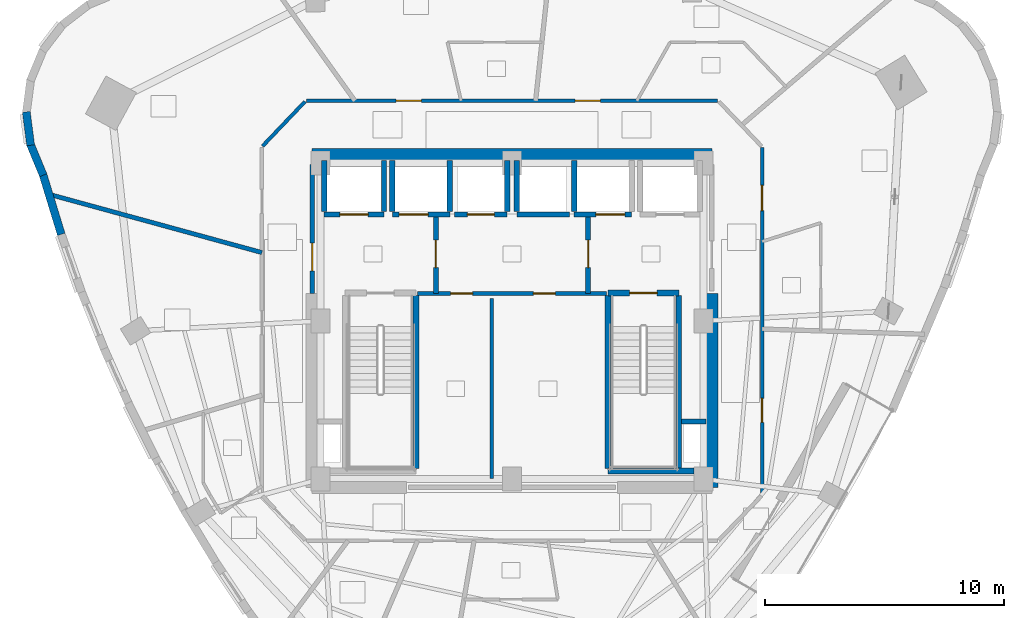
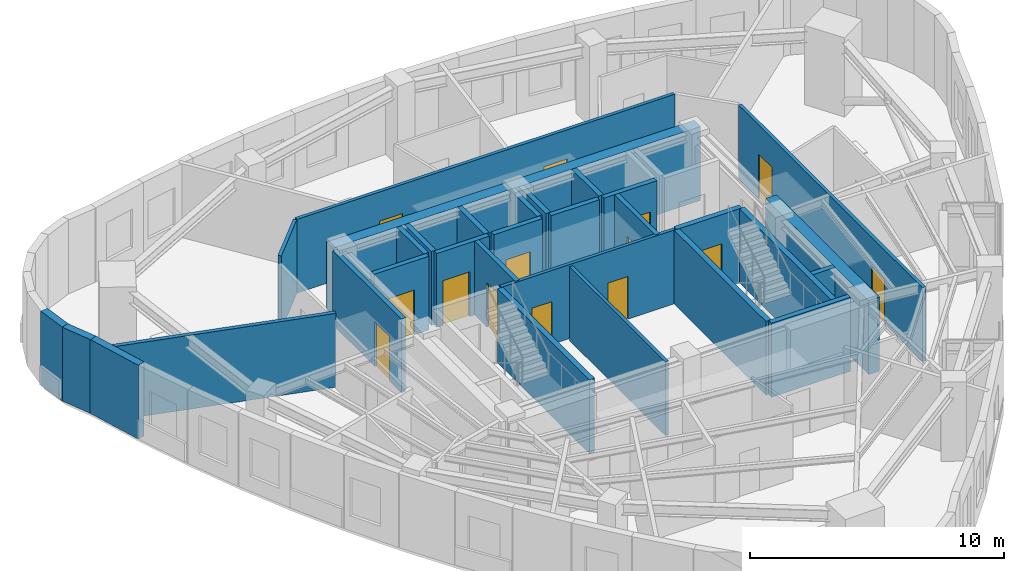
# One storey, part 7 of 12: 32 walls, 14 doors, 14 openings.
"""IFC4 building model written with IfcOpenShell, lengths in metres."""

from ifc_helpers import new_model, si_unit, direction, frame, frame_2d, origin, place, context, subcontext, project, spatial, rectangle, extrude, material, layer, layer_set, type_object, element, fill, save


model = new_model("IFC4")

# Units and contexts
model_context = context("Model", 3, precision=1e-05, world=origin(), true_north=direction((0.0, 1.0)))
body_context = subcontext(model_context, "Body", "Model", "MODEL_VIEW")
ifc_project = project(units=[si_unit("LENGTHUNIT", "METRE"), si_unit("AREAUNIT", "SQUARE_METRE"), si_unit("VOLUMEUNIT", "CUBIC_METRE"), si_unit("PLANEANGLEUNIT", "RADIAN"), si_unit("MASSUNIT", "GRAM", prefix="KILO")], contexts=[model_context])

# Site, building, storey
site_placement = place(None, origin())
site = spatial("IfcSite", under=ifc_project, at=site_placement, CompositionType="ELEMENT")
building_placement = place(site_placement, origin())
building = spatial("IfcBuilding", under=site, at=building_placement, Name="Ndelora Gate Hotel", CompositionType="ELEMENT")
storey_placement = place(building_placement, frame((0.0, 0.0, 205.550048828125)))
storey = spatial("IfcBuildingStorey", under=building, at=storey_placement, Name="L51", CompositionType="ELEMENT", Elevation=205.550048828125)

# Walls
ifc_material_1 = material(Name="Acoustic Double-Stud Gypsum Assembly", Category="gypsum")
ifc_layer_1 = layer(ifc_material_1, 0.179931640625)
ifc_layer_set_1 = layer_set([ifc_layer_1], Name="Acoustic Double-Stud Gypsum Assembly")
wall_type_1 = type_object("IfcWallType", Name="WL-ACOUST-180", PredefinedType="PARTITIONING", material=ifc_layer_set_1)
wall_1_placement = place(storey_placement, frame((-10.449951171875, 2.860107421875, 0.0), z_axis=(0.0, 0.0, 1.0), x_axis=(-0.964534389735, 0.26395721437, 0.0)))
element("IfcWall", 1, at=wall_1_placement, inside=storey, type_object=wall_type_1, Name="L51 Interior Wall IW-3", PredefinedType="PARTITIONING", context=body_context, shape_type="SweptSolid", body=[
    extrude(rectangle(XDim=9.223388671875, YDim=0.179931640625, at=frame_2d((4.61181640625, 0.0))), origin(), (0.0, 0.0, 1.0), 3.550048828125),
])
ifc_material_2 = material(Name="Clay Brick Masonry", Category="masonry")
ifc_layer_2 = layer(ifc_material_2, 0.330078125)
ifc_layer_set_2 = layer_set([ifc_layer_2], Name="Clay Brick Masonry")
wall_type_2 = type_object("IfcWallType", Name="WL-BRICK-330", PredefinedType="SOLIDWALL", material=ifc_layer_set_2)
for number, where, z_axis, x_axis, name in (
    (2, (-20.11279296875, 7.343505859375, 0.0), (0.0, 0.0, 1.0), (-0.130607061093, 0.991434211429, 0.0), "L51 Tower Brick Pier-and-Spandrel Wall TWR-7"),
    (3, (-19.587158203125, 6.091064453125, 0.0), (0.0, 0.0, 1.0), (-0.382668413767, 0.923885753275, 0.0), "L51 Tower Brick Pier-and-Spandrel Wall TWR-8"),
):
    element("IfcWall", number, at=place(storey_placement, frame(where, z_axis=z_axis, x_axis=x_axis)), inside=storey, type_object=wall_type_2, Name=name, PredefinedType="SOLIDWALL", context=body_context, shape_type="SweptSolid", body=[
        extrude(rectangle(XDim=1.407470703125, YDim=0.330078125, at=frame_2d((0.70361328125, 0.0))), origin(), (0.0, 0.0, 1.0), 3.550048828125),
    ])
wall_2_placement = place(storey_placement, frame((-18.83447265625, 3.621337890625, 0.0), z_axis=(0.0, 0.0, 1.0), x_axis=(-0.292416512209, 0.956291055792, 0.0)))
element("IfcWall", 4, at=wall_2_placement, inside=storey, type_object=wall_type_2, Name="L51 Tower Brick Pier-and-Spandrel Wall TWR-9", PredefinedType="SOLIDWALL", context=body_context, shape_type="SweptSolid", body=[
    extrude(rectangle(XDim=2.631591796875, YDim=0.330078125, at=frame_2d((1.31591796875, 0.0))), origin(), (0.0, 0.0, 1.0), 3.550048828125),
])
ifc_material_3 = material(Name="Concrete C50/60", Category="concrete")
ifc_layer_3 = layer(ifc_material_3, 0.5)
ifc_layer_set_3 = layer_set([ifc_layer_3], Name="Concrete C50/60")
wall_type_3 = type_object("IfcWallType", Name="WL-CORE-500", PredefinedType="SHEAR", material=ifc_layer_set_3)
wall_3_placement = place(storey_placement, frame((-8.35009765625, 6.949951171875, 0.0), z_axis=(0.0, 0.0, 1.0), x_axis=(1.0, 0.0, 0.0)))
element("IfcWall", 5, at=wall_3_placement, inside=storey, type_object=wall_type_3, Name="L51 Core Shear Wall N", PredefinedType="SHEAR", context=body_context, shape_type="SweptSolid", body=[
    extrude(rectangle(XDim=16.7001953125, YDim=0.5, at=frame_2d((8.35009765625, 0.0))), origin(), (0.0, 0.0, 1.0), 3.550048828125),
])
wall_4_placement = place(storey_placement, frame((8.35009765625, -6.949951171875, 0.0), z_axis=(0.0, 0.0, 1.0), x_axis=(0.0, 1.0, 0.0)))
element("IfcWall", 6, at=wall_4_placement, inside=storey, type_object=wall_type_3, Name="L51 Core Shear Wall E", PredefinedType="SHEAR", context=body_context, shape_type="SweptSolid", body=[
    extrude(rectangle(XDim=8.099853515625, YDim=0.5, at=frame_2d((4.0498046875, 0.0))), origin(), (0.0, 0.0, 1.0), 3.550048828125),
])

# Wall, opening, door
ifc_material_4 = material(Name="Concrete C40/50", Category="concrete")
ifc_layer_4 = layer(ifc_material_4, 0.199951171875)
ifc_layer_set_4 = layer_set([ifc_layer_4], Name="Concrete C40/50")
wall_type_4 = type_object("IfcWallType", Name="WL-FIRE-200", PredefinedType="PARTITIONING", material=ifc_layer_set_4)
wall_5_placement = place(storey_placement, frame((-3.179931640625, 1.14990234375, 0.0), z_axis=(0.0, 0.0, 1.0), x_axis=(0.0, 1.0, 0.0)))
wall_5 = element("IfcWall", 7, at=wall_5_placement, inside=storey, type_object=wall_type_4, Name="L51 Interior Wall IW-2", PredefinedType="PARTITIONING", context=body_context, shape_type="SweptSolid", body=[
    extrude(rectangle(XDim=3.300048828125, YDim=0.199951171875, at=frame_2d((1.64990234375, 0.0))), origin(), (0.0, 0.0, 1.0), 3.550048828125),
])
opening_1_placement = place(wall_5_placement, frame((1.080078125, 0.0, 0.0)))
opening_1 = element("IfcOpeningElement", 8, at=opening_1_placement, cuts=wall_5, Name="Opening FD1", PredefinedType="OPENING", context=body_context, shape_type="SweptSolid", body=[
    extrude(rectangle(XDim=1.14990234375, YDim=2.14990234375, at=frame_2d((0.574951171875, 1.074951171875))), frame((0.0, 0.10986328125, 0.0), z_axis=(0.0, -1.0, 0.0), x_axis=(1.0, 0.0, 0.0)), (0.0, 0.0, 1.0), 0.219970703125),
])
ifc_material_5 = material(Name="Fire-Rated Timber-Veneer Steel Core", Category="steel")
door_type_1 = type_object("IfcDoorType", Name="DR-FD60", OperationType="SINGLE_SWING_LEFT", PredefinedType="DOOR", material=ifc_material_5)
door_1_placement = place(opening_1_placement, origin())
door_1 = element("IfcDoor", 9, at=door_1_placement, inside=storey, type_object=door_type_1, Name="L51 Firefighting Lobby West Door", OperationType="SINGLE_SWING_RIGHT", OverallHeight=2.14990234375, OverallWidth=1.14990234375, PredefinedType="DOOR", context=body_context, shape_type="SweptSolid", body=[
    extrude(rectangle(XDim=1.14990234375, YDim=2.14990234375, at=frame_2d((0.574951171875, 1.074951171875))), frame((0.0, 0.02490234375, 0.0), z_axis=(0.0, -1.0, 0.0), x_axis=(1.0, 0.0, 0.0)), (0.0, 0.0, 1.0), 0.050048828125),
])
fill(opening_1, door_1)

wall_6_placement = place(storey_placement, frame((3.179931640625, 1.14990234375, 0.0), z_axis=(0.0, 0.0, 1.0), x_axis=(0.0, 1.0, 0.0)))
wall_6 = element("IfcWall", 10, at=wall_6_placement, inside=storey, type_object=wall_type_4, Name="L51 Interior Wall IW-2", PredefinedType="PARTITIONING", context=body_context, shape_type="SweptSolid", body=[
    extrude(rectangle(XDim=3.300048828125, YDim=0.199951171875, at=frame_2d((1.64990234375, 0.0))), origin(), (0.0, 0.0, 1.0), 3.550048828125),
])
opening_2_placement = place(wall_6_placement, frame((1.080078125, 0.0, 0.0)))
opening_2 = element("IfcOpeningElement", 11, at=opening_2_placement, cuts=wall_6, Name="Opening FD1", PredefinedType="OPENING", context=body_context, shape_type="SweptSolid", body=[
    extrude(rectangle(XDim=1.14990234375, YDim=2.14990234375, at=frame_2d((0.574951171875, 1.074951171875))), frame((0.0, 0.10986328125, 0.0), z_axis=(0.0, -1.0, 0.0), x_axis=(1.0, 0.0, 0.0)), (0.0, 0.0, 1.0), 0.219970703125),
])
door_2_placement = place(opening_2_placement, origin())
door_2 = element("IfcDoor", 12, at=door_2_placement, inside=storey, type_object=door_type_1, Name="L51 Firefighting Lobby East Door", OperationType="SINGLE_SWING_LEFT", OverallHeight=2.14990234375, OverallWidth=1.14990234375, PredefinedType="DOOR", context=body_context, shape_type="SweptSolid", body=[
    extrude(rectangle(XDim=1.14990234375, YDim=2.14990234375, at=frame_2d((0.574951171875, 1.074951171875))), frame((0.0, 0.02490234375, 0.0), z_axis=(0.0, -1.0, 0.0), x_axis=(1.0, 0.0, 0.0)), (0.0, 0.0, 1.0), 0.050048828125),
])
fill(opening_2, door_2)

wall_7_placement = place(storey_placement, frame((-8.35009765625, 1.14990234375, 0.0), z_axis=(0.0, 0.0, 1.0), x_axis=(0.0, 1.0, 0.0)))
wall_7 = element("IfcWall", 13, at=wall_7_placement, inside=storey, type_object=wall_type_4, Name="L51 Interior Wall IW-2", PredefinedType="PARTITIONING", context=body_context, shape_type="SweptSolid", body=[
    extrude(rectangle(XDim=5.400146484375, YDim=0.199951171875, at=frame_2d((2.7001953125, 0.0))), origin(), (0.0, 0.0, 1.0), 3.550048828125),
])
opening_3_placement = place(wall_7_placement, frame((0.949951171875, 0.0, 0.0)))
opening_3 = element("IfcOpeningElement", 14, at=opening_3_placement, cuts=wall_7, Name="Opening FD1", PredefinedType="OPENING", context=body_context, shape_type="SweptSolid", body=[
    extrude(rectangle(XDim=1.14990234375, YDim=2.14990234375, at=frame_2d((0.574951171875, 1.074951171875))), frame((0.0, 0.10986328125, 0.0), z_axis=(0.0, -1.0, 0.0), x_axis=(1.0, 0.0, 0.0)), (0.0, 0.0, 1.0), 0.219970703125),
])
door_3_placement = place(opening_3_placement, origin())
door_3 = element("IfcDoor", 15, at=door_3_placement, inside=storey, type_object=door_type_1, Name="L51 Firefighting Lobby West Corridor Door", OperationType="SINGLE_SWING_LEFT", OverallHeight=2.14990234375, OverallWidth=1.14990234375, PredefinedType="DOOR", context=body_context, shape_type="SweptSolid", body=[
    extrude(rectangle(XDim=1.14990234375, YDim=2.14990234375, at=frame_2d((0.574951171875, 1.074951171875))), frame((0.0, 0.02490234375, 0.0), z_axis=(0.0, -1.0, 0.0), x_axis=(1.0, 0.0, 0.0)), (0.0, 0.0, 1.0), 0.050048828125),
])
fill(opening_3, door_3)

# Wall, openings, doors
ifc_material_6 = material(Name="Fire-Rated Gypsum Stud Partition", Category="gypsum")
ifc_layer_5 = layer(ifc_material_6, 0.14990234375)
ifc_layer_set_5 = layer_set([ifc_layer_5], Name="Fire-Rated Gypsum Stud Partition")
wall_type_5 = type_object("IfcWallType", Name="WL-PART-150", PredefinedType="PARTITIONING", material=ifc_layer_set_5)
wall_8_placement = place(storey_placement, frame((3.949951171875, 1.14990234375, 0.0), z_axis=(0.0, 0.0, 1.0), x_axis=(-1.0, 0.0, 0.0)))
wall_8 = element("IfcWall", 16, at=wall_8_placement, inside=storey, type_object=wall_type_5, Name="L51 Interior Wall IW-5", PredefinedType="PARTITIONING", context=body_context, shape_type="SweptSolid", body=[
    extrude(rectangle(XDim=7.89990234375, YDim=0.14990234375, at=frame_2d((3.949951171875, 0.0))), origin(), (0.0, 0.0, 1.0), 3.550048828125),
])
opening_4_placement = place(wall_8_placement, frame((5.590087890625, 0.0, 0.0)))
opening_4 = element("IfcOpeningElement", 17, at=opening_4_placement, cuts=wall_8, Name="Opening D04", PredefinedType="OPENING", context=body_context, shape_type="SweptSolid", body=[
    extrude(rectangle(XDim=0.919921875, YDim=2.050048828125, at=frame_2d((0.4599609375, 1.02490234375))), frame((0.0, 0.0849609375, 0.0), z_axis=(0.0, -1.0, 0.0), x_axis=(1.0, 0.0, 0.0)), (0.0, 0.0, 1.0), 0.169921875),
])
opening_5_placement = place(wall_8_placement, frame((2.139892578125, 0.0, 0.0)))
opening_5 = element("IfcOpeningElement", 18, at=opening_5_placement, cuts=wall_8, Name="Opening D04", PredefinedType="OPENING", context=body_context, shape_type="SweptSolid", body=[
    extrude(rectangle(XDim=0.919921875, YDim=2.050048828125, at=frame_2d((0.4599609375, 1.02490234375))), frame((0.0, 0.0849609375, 0.0), z_axis=(0.0, -1.0, 0.0), x_axis=(1.0, 0.0, 0.0)), (0.0, 0.0, 1.0), 0.169921875),
])
ifc_material_7 = material(Name="Painted Steel Core Service Door", Category="steel")
door_type_2 = type_object("IfcDoorType", Name="DR-SER-920", OperationType="SINGLE_SWING_LEFT", PredefinedType="DOOR", material=ifc_material_7)
door_4_placement = place(opening_4_placement, origin())
door_4 = element("IfcDoor", 19, at=door_4_placement, inside=storey, type_object=door_type_2, Name="L51 Core Electrical Switchroom Door", OperationType="SINGLE_SWING_LEFT", OverallHeight=2.050048828125, OverallWidth=0.919921875, PredefinedType="DOOR", context=body_context, shape_type="SweptSolid", body=[
    extrude(rectangle(XDim=0.919921875, YDim=2.050048828125, at=frame_2d((0.4599609375, 1.02490234375))), frame((0.0, 0.02490234375, 0.0), z_axis=(0.0, -1.0, 0.0), x_axis=(1.0, 0.0, 0.0)), (0.0, 0.0, 1.0), 0.050048828125),
])
fill(opening_4, door_4)
door_5_placement = place(opening_5_placement, origin())
door_5 = element("IfcDoor", 20, at=door_5_placement, inside=storey, type_object=door_type_2, Name="L51 Central Linen Equipment Store Door", OperationType="SINGLE_SWING_RIGHT", OverallHeight=2.050048828125, OverallWidth=0.919921875, PredefinedType="DOOR", context=body_context, shape_type="SweptSolid", body=[
    extrude(rectangle(XDim=0.919921875, YDim=2.050048828125, at=frame_2d((0.4599609375, 1.02490234375))), frame((0.0, 0.02490234375, 0.0), z_axis=(0.0, -1.0, 0.0), x_axis=(1.0, 0.0, 0.0)), (0.0, 0.0, 1.0), 0.050048828125),
])
fill(opening_5, door_5)

# Wall
wall_9_placement = place(storey_placement, frame((-0.85009765625, -6.580078125, 0.0), z_axis=(0.0, 0.0, 1.0), x_axis=(0.0, 1.0, 0.0)))
element("IfcWall", 21, at=wall_9_placement, inside=storey, type_object=wall_type_5, Name="L51 Interior Wall IW-5", PredefinedType="PARTITIONING", context=body_context, shape_type="SweptSolid", body=[
    extrude(rectangle(XDim=7.530029296875, YDim=0.14990234375, at=frame_2d((3.76513671875, 0.0))), origin(), (0.0, 0.0, 1.0), 3.550048828125),
])

# Wall, openings, doors
wall_10_placement = place(storey_placement, frame((10.449951171875, 7.239990234375, 0.0), z_axis=(0.0, 0.0, 1.0), x_axis=(0.0, -1.0, 0.0)))
wall_10 = element("IfcWall", 22, at=wall_10_placement, inside=storey, type_object=wall_type_5, Name="L51 Interior Wall IW-5", PredefinedType="PARTITIONING", context=body_context, shape_type="SweptSolid", body=[
    extrude(rectangle(XDim=14.47998046875, YDim=0.14990234375, at=frame_2d((7.239990234375, 0.0))), origin(), (0.0, 0.0, 1.0), 3.550048828125),
])
opening_6_placement = place(wall_10_placement, frame((10.4775390625, 0.0, 0.0)))
opening_6 = element("IfcOpeningElement", 23, at=opening_6_placement, cuts=wall_10, Name="Opening D01", PredefinedType="OPENING", context=body_context, shape_type="SweptSolid", body=[
    extrude(rectangle(XDim=1.0, YDim=2.14990234375, at=frame_2d((0.5, 1.074951171875))), frame((0.0, 0.0849609375, 0.0), z_axis=(0.0, -1.0, 0.0), x_axis=(1.0, 0.0, 0.0)), (0.0, 0.0, 1.0), 0.169921875),
])
opening_7_placement = place(wall_10_placement, frame((1.56982421875, 0.0, 0.0)))
opening_7 = element("IfcOpeningElement", 24, at=opening_7_placement, cuts=wall_10, Name="Opening D07", PredefinedType="OPENING", context=body_context, shape_type="SweptSolid", body=[
    extrude(rectangle(XDim=1.06005859375, YDim=2.14990234375, at=frame_2d((0.530029296875, 1.074951171875))), frame((0.0, 0.0849609375, 0.0), z_axis=(0.0, -1.0, 0.0), x_axis=(1.0, 0.0, 0.0)), (0.0, 0.0, 1.0), 0.169921875),
])
ifc_material_8 = material(Name="Acoustic Hardwood Guest Entrance Door", Category="wood")
door_type_3 = type_object("IfcDoorType", Name="DR-COR-1000", OperationType="SINGLE_SWING_LEFT", PredefinedType="DOOR", material=ifc_material_8)
door_6_placement = place(opening_6_placement, origin())
door_6 = element("IfcDoor", 25, at=door_6_placement, inside=storey, type_object=door_type_3, Name="L51 Sky Garden Tea Dining Room Entrance Door", OperationType="SINGLE_SWING_LEFT", OverallHeight=2.14990234375, OverallWidth=1.0, PredefinedType="DOOR", context=body_context, shape_type="SweptSolid", body=[
    extrude(rectangle(XDim=1.0, YDim=2.14990234375, at=frame_2d((0.5, 1.074951171875))), frame((0.0, 0.02490234375, 0.0), z_axis=(0.0, -1.0, 0.0), x_axis=(1.0, 0.0, 0.0)), (0.0, 0.0, 1.0), 0.050048828125),
])
fill(opening_6, door_6)
ifc_material_9 = material(Name="Diplomatic Suite Acoustic Entrance Door", Category="wood")
door_type_4 = type_object("IfcDoorType", Name="DR-SUITE-1060", OperationType="SINGLE_SWING_LEFT", PredefinedType="DOOR", material=ifc_material_9)
door_7_placement = place(opening_7_placement, origin())
door_7 = element("IfcDoor", 26, at=door_7_placement, inside=storey, type_object=door_type_4, Name="L51 Panoramic King Suite 5402 Entrance Door", OperationType="SINGLE_SWING_LEFT", OverallHeight=2.14990234375, OverallWidth=1.06005859375, PredefinedType="DOOR", context=body_context, shape_type="SweptSolid", body=[
    extrude(rectangle(XDim=1.06005859375, YDim=2.14990234375, at=frame_2d((0.530029296875, 1.074951171875))), frame((0.0, 0.02490234375, 0.0), z_axis=(0.0, -1.0, 0.0), x_axis=(1.0, 0.0, 0.0)), (0.0, 0.0, 1.0), 0.050048828125),
])
fill(opening_7, door_7)

wall_11_placement = place(storey_placement, frame((-8.580078125, 9.199951171875, 0.0), z_axis=(0.0, 0.0, 1.0), x_axis=(1.0, 0.0, 0.0)))
wall_11 = element("IfcWall", 27, at=wall_11_placement, inside=storey, type_object=wall_type_5, Name="L51 Interior Wall IW-5", PredefinedType="PARTITIONING", context=body_context, shape_type="SweptSolid", body=[
    extrude(rectangle(XDim=17.16015625, YDim=0.14990234375, at=frame_2d((8.580078125, 0.0))), origin(), (0.0, 0.0, 1.0), 3.550048828125),
])
opening_8_placement = place(wall_11_placement, frame((3.734375, 0.0, 0.0)))
opening_8 = element("IfcOpeningElement", 28, at=opening_8_placement, cuts=wall_11, Name="Opening D07", PredefinedType="OPENING", context=body_context, shape_type="SweptSolid", body=[
    extrude(rectangle(XDim=1.06005859375, YDim=2.14990234375, at=frame_2d((0.530029296875, 1.074951171875))), frame((0.0, 0.0849609375, 0.0), z_axis=(0.0, -1.0, 0.0), x_axis=(1.0, 0.0, 0.0)), (0.0, 0.0, 1.0), 0.169921875),
])
opening_9_placement = place(wall_11_placement, frame((11.21435546875, 0.0, 0.0)))
opening_9 = element("IfcOpeningElement", 29, at=opening_9_placement, cuts=wall_11, Name="Opening D07", PredefinedType="OPENING", context=body_context, shape_type="SweptSolid", body=[
    extrude(rectangle(XDim=1.06005859375, YDim=2.14990234375, at=frame_2d((0.530029296875, 1.074951171875))), frame((0.0, 0.0849609375, 0.0), z_axis=(0.0, -1.0, 0.0), x_axis=(1.0, 0.0, 0.0)), (0.0, 0.0, 1.0), 0.169921875),
])
door_8_placement = place(opening_8_placement, origin())
door_8 = element("IfcDoor", 30, at=door_8_placement, inside=storey, type_object=door_type_4, Name="L51 Panoramic Twin Suite 5404 Entrance Door", OperationType="SINGLE_SWING_RIGHT", OverallHeight=2.14990234375, OverallWidth=1.06005859375, PredefinedType="DOOR", context=body_context, shape_type="SweptSolid", body=[
    extrude(rectangle(XDim=1.06005859375, YDim=2.14990234375, at=frame_2d((0.530029296875, 1.074951171875))), frame((0.0, 0.02490234375, 0.0), z_axis=(0.0, -1.0, 0.0), x_axis=(1.0, 0.0, 0.0)), (0.0, 0.0, 1.0), 0.050048828125),
])
fill(opening_8, door_8)
door_9_placement = place(opening_9_placement, origin())
door_9 = element("IfcDoor", 31, at=door_9_placement, inside=storey, type_object=door_type_4, Name="L51 Royal Ambassador Suite 5403 Entrance Door", OperationType="SINGLE_SWING_RIGHT", OverallHeight=2.14990234375, OverallWidth=1.06005859375, PredefinedType="DOOR", context=body_context, shape_type="SweptSolid", body=[
    extrude(rectangle(XDim=1.06005859375, YDim=2.14990234375, at=frame_2d((0.530029296875, 1.074951171875))), frame((0.0, 0.02490234375, 0.0), z_axis=(0.0, -1.0, 0.0), x_axis=(1.0, 0.0, 0.0)), (0.0, 0.0, 1.0), 0.050048828125),
])
fill(opening_9, door_9)

# Walls
wall_12_placement = place(storey_placement, frame((-10.42236328125, 7.30908203125, 0.0), z_axis=(0.0, 0.0, 1.0), x_axis=(0.689960858356, 0.723846678473, 0.0)))
element("IfcWall", 32, at=wall_12_placement, inside=storey, type_object=wall_type_5, Name="L51 Interior Wall IW-5", PredefinedType="PARTITIONING", context=body_context, shape_type="SweptSolid", body=[
    extrude(rectangle(XDim=2.572021484375, YDim=0.14990234375, at=frame_2d((1.2861328125, 0.0))), origin(), (0.0, 0.0, 1.0), 3.550048828125),
])
ifc_layer_6 = layer(ifc_material_4, 0.219970703125)
ifc_layer_set_6 = layer_set([ifc_layer_6], Name="Concrete C40/50")
wall_type_6 = type_object("IfcWallType", Name="WL-SHAFT-220", PredefinedType="PARTITIONING", material=ifc_layer_set_6)
wall_13_placement = place(storey_placement, frame((7.090087890625, -4.199951171875, 0.0), z_axis=(0.0, 0.0, 1.0), x_axis=(1.0, 0.0, 0.0)))
element("IfcWall", 33, at=wall_13_placement, inside=storey, type_object=wall_type_6, Name="L51 Interior Wall IW-1", PredefinedType="PARTITIONING", context=body_context, shape_type="SweptSolid", body=[
    extrude(rectangle(XDim=1.010009765625, YDim=0.219970703125, at=frame_2d((0.5048828125, 0.0))), origin(), (0.0, 0.0, 1.0), 3.550048828125),
])

# Wall, opening, door
wall_14_placement = place(storey_placement, frame((-7.85009765625, 4.449951171875, 0.0), z_axis=(0.0, 0.0, 1.0), x_axis=(1.0, 0.0, 0.0)))
wall_14 = element("IfcWall", 34, at=wall_14_placement, inside=storey, type_object=wall_type_6, Name="L51 Interior Wall IW-1", PredefinedType="PARTITIONING", context=body_context, shape_type="SweptSolid", body=[
    extrude(rectangle(XDim=2.5, YDim=0.219970703125, at=frame_2d((1.25, 0.0))), origin(), (0.0, 0.0, 1.0), 3.550048828125),
])
opening_10_placement = place(wall_14_placement, frame((0.659912109375, 0.0, 0.0)))
opening_10 = element("IfcOpeningElement", 35, at=opening_10_placement, cuts=wall_14, Name="Opening LD5", PredefinedType="OPENING", context=body_context, shape_type="SweptSolid", body=[
    extrude(rectangle(XDim=1.179931640625, YDim=2.14990234375, at=frame_2d((0.58984375, 1.074951171875))), frame((0.0, 0.1201171875, 0.0), z_axis=(0.0, -1.0, 0.0), x_axis=(1.0, 0.0, 0.0)), (0.0, 0.0, 1.0), 0.239990234375),
])
ifc_material_10 = material(Name="Firefighting Lift Stainless Sliding Landing Door", Category="metal")
door_type_5 = type_object("IfcDoorType", Name="DR-LD5", OperationType="DOUBLE_DOOR_SLIDING", PredefinedType="DOOR", material=ifc_material_10)
door_10_placement = place(opening_10_placement, origin())
door_10 = element("IfcDoor", 36, at=door_10_placement, inside=storey, type_object=door_type_5, Name="L51 Lift Landing Sliding Door FFL1", OperationType="DOUBLE_DOOR_SLIDING", OverallHeight=2.14990234375, OverallWidth=1.179931640625, PredefinedType="DOOR", context=body_context, shape_type="SweptSolid", body=[
    extrude(rectangle(XDim=1.179931640625, YDim=2.14990234375, at=frame_2d((0.58984375, 1.074951171875))), frame((0.0, 0.02490234375, 0.0), z_axis=(0.0, -1.0, 0.0), x_axis=(1.0, 0.0, 0.0)), (0.0, 0.0, 1.0), 0.050048828125),
])
fill(opening_10, door_10)

# Walls
wall_15_placement = place(storey_placement, frame((-7.85009765625, 4.570068359375, 0.0), z_axis=(0.0, 0.0, 1.0), x_axis=(0.0, 1.0, 0.0)))
element("IfcWall", 37, at=wall_15_placement, inside=storey, type_object=wall_type_6, Name="L51 Interior Wall IW-1", PredefinedType="PARTITIONING", context=body_context, shape_type="SweptSolid", body=[
    extrude(rectangle(XDim=2.1298828125, YDim=0.219970703125, at=frame_2d((1.06494140625, 0.0))), origin(), (0.0, 0.0, 1.0), 3.179931640625),
])
wall_16_placement = place(storey_placement, frame((-5.35009765625, 4.570068359375, 0.0), z_axis=(0.0, 0.0, 1.0), x_axis=(0.0, 1.0, 0.0)))
element("IfcWall", 38, at=wall_16_placement, inside=storey, type_object=wall_type_6, Name="L51 Interior Wall IW-1", PredefinedType="PARTITIONING", context=body_context, shape_type="SweptSolid", body=[
    extrude(rectangle(XDim=2.1298828125, YDim=0.219970703125, at=frame_2d((1.06494140625, 0.0))), origin(), (0.0, 0.0, 1.0), 3.550048828125),
])

# Wall, opening, door
wall_17_placement = place(storey_placement, frame((-5.0, 4.449951171875, 0.0), z_axis=(0.0, 0.0, 1.0), x_axis=(1.0, 0.0, 0.0)))
wall_17 = element("IfcWall", 39, at=wall_17_placement, inside=storey, type_object=wall_type_6, Name="L51 Interior Wall IW-1", PredefinedType="PARTITIONING", context=body_context, shape_type="SweptSolid", body=[
    extrude(rectangle(XDim=2.39990234375, YDim=0.219970703125, at=frame_2d((1.199951171875, 0.0))), origin(), (0.0, 0.0, 1.0), 3.550048828125),
])
opening_11_placement = place(wall_17_placement, frame((0.280029296875, 0.0, 0.0)))
opening_11 = element("IfcOpeningElement", 40, at=opening_11_placement, cuts=wall_17, Name="Opening LD6", PredefinedType="OPENING", context=body_context, shape_type="SweptSolid", body=[
    extrude(rectangle(XDim=1.219970703125, YDim=2.14990234375, at=frame_2d((0.60986328125, 1.074951171875))), frame((0.0, 0.1201171875, 0.0), z_axis=(0.0, -1.0, 0.0), x_axis=(1.0, 0.0, 0.0)), (0.0, 0.0, 1.0), 0.239990234375),
])
ifc_material_11 = material(Name="Heavy-Duty Service Lift Sliding Landing Door", Category="wood")
door_type_6 = type_object("IfcDoorType", Name="DR-LD6", OperationType="DOUBLE_DOOR_SLIDING", PredefinedType="DOOR", material=ifc_material_11)
door_11_placement = place(opening_11_placement, origin())
door_11 = element("IfcDoor", 41, at=door_11_placement, inside=storey, type_object=door_type_6, Name="L51 Lift Landing Sliding Door SVL1", OperationType="DOUBLE_DOOR_SLIDING", OverallHeight=2.14990234375, OverallWidth=1.219970703125, PredefinedType="DOOR", context=body_context, shape_type="SweptSolid", body=[
    extrude(rectangle(XDim=1.219970703125, YDim=2.14990234375, at=frame_2d((0.60986328125, 1.074951171875))), frame((0.0, 0.02490234375, 0.0), z_axis=(0.0, -1.0, 0.0), x_axis=(1.0, 0.0, 0.0)), (0.0, 0.0, 1.0), 0.050048828125),
])
fill(opening_11, door_11)

# Walls
for number, where, z_axis, x_axis, name in (
    (42, (-5.0, 4.570068359375, 0.0), (0.0, 0.0, 1.0), (0.0, 1.0, 0.0), "L51 Interior Wall IW-1"),
    (43, (-2.60009765625, 4.570068359375, 0.0), (0.0, 0.0, 1.0), (0.0, 1.0, 0.0), "L51 Interior Wall IW-1"),
):
    element("IfcWall", number, at=place(storey_placement, frame(where, z_axis=z_axis, x_axis=x_axis)), inside=storey, type_object=wall_type_6, Name=name, PredefinedType="PARTITIONING", context=body_context, shape_type="SweptSolid", body=[
        extrude(rectangle(XDim=2.1298828125, YDim=0.219970703125, at=frame_2d((1.06494140625, 0.0))), origin(), (0.0, 0.0, 1.0), 3.550048828125),
    ])

# Wall, opening, door
wall_18_placement = place(storey_placement, frame((2.60009765625, 4.449951171875, 0.0), z_axis=(0.0, 0.0, 1.0), x_axis=(1.0, 0.0, 0.0)))
wall_18 = element("IfcWall", 44, at=wall_18_placement, inside=storey, type_object=wall_type_6, Name="L51 Interior Wall IW-1", PredefinedType="PARTITIONING", context=body_context, shape_type="SweptSolid", body=[
    extrude(rectangle(XDim=2.39990234375, YDim=0.219970703125, at=frame_2d((1.199951171875, 0.0))), origin(), (0.0, 0.0, 1.0), 3.550048828125),
])
opening_12_placement = place(wall_18_placement, frame((0.89990234375, 0.0, 0.0)))
opening_12 = element("IfcOpeningElement", 45, at=opening_12_placement, cuts=wall_18, Name="Opening LD6", PredefinedType="OPENING", context=body_context, shape_type="SweptSolid", body=[
    extrude(rectangle(XDim=1.219970703125, YDim=2.14990234375, at=frame_2d((0.60986328125, 1.074951171875))), frame((0.0, 0.1201171875, 0.0), z_axis=(0.0, -1.0, 0.0), x_axis=(1.0, 0.0, 0.0)), (0.0, 0.0, 1.0), 0.239990234375),
])
door_12_placement = place(opening_12_placement, origin())
door_12 = element("IfcDoor", 46, at=door_12_placement, inside=storey, type_object=door_type_6, Name="L51 Lift Landing Sliding Door SVL2", OperationType="DOUBLE_DOOR_SLIDING", OverallHeight=2.14990234375, OverallWidth=1.219970703125, PredefinedType="DOOR", context=body_context, shape_type="SweptSolid", body=[
    extrude(rectangle(XDim=1.219970703125, YDim=2.14990234375, at=frame_2d((0.60986328125, 1.074951171875))), frame((0.0, 0.02490234375, 0.0), z_axis=(0.0, -1.0, 0.0), x_axis=(1.0, 0.0, 0.0)), (0.0, 0.0, 1.0), 0.050048828125),
])
fill(opening_12, door_12)

# Wall
wall_19_placement = place(storey_placement, frame((2.60009765625, 4.570068359375, 0.0), z_axis=(0.0, 0.0, 1.0), x_axis=(0.0, 1.0, 0.0)))
element("IfcWall", 47, at=wall_19_placement, inside=storey, type_object=wall_type_6, Name="L51 Interior Wall IW-1", PredefinedType="PARTITIONING", context=body_context, shape_type="SweptSolid", body=[
    extrude(rectangle(XDim=2.1298828125, YDim=0.219970703125, at=frame_2d((1.06494140625, 0.0))), origin(), (0.0, 0.0, 1.0), 3.550048828125),
])

# Wall, opening, door
wall_20_placement = place(storey_placement, frame((-2.39990234375, 4.449951171875, 0.0), z_axis=(0.0, 0.0, 1.0), x_axis=(1.0, 0.0, 0.0)))
wall_20 = element("IfcWall", 48, at=wall_20_placement, inside=storey, type_object=wall_type_6, Name="L51 Interior Wall IW-1", PredefinedType="PARTITIONING", context=body_context, shape_type="SweptSolid", body=[
    extrude(rectangle(XDim=2.199951171875, YDim=0.219970703125, at=frame_2d((1.10009765625, 0.0))), origin(), (0.0, 0.0, 1.0), 3.550048828125),
])
opening_13_placement = place(wall_20_placement, frame((0.5400390625, 0.0, 0.0)))
opening_13 = element("IfcOpeningElement", 49, at=opening_13_placement, cuts=wall_20, Name="Opening LD3", PredefinedType="OPENING", context=body_context, shape_type="SweptSolid", body=[
    extrude(rectangle(XDim=1.1201171875, YDim=2.14990234375, at=frame_2d((0.56005859375, 1.074951171875))), frame((0.0, 0.1201171875, 0.0), z_axis=(0.0, -1.0, 0.0), x_axis=(1.0, 0.0, 0.0)), (0.0, 0.0, 1.0), 0.239990234375),
])
ifc_material_12 = material(Name="Brushed Bronze Stainless Lift Landing Door", Category="metal")
door_type_7 = type_object("IfcDoorType", Name="DR-LD3", OperationType="DOUBLE_DOOR_SLIDING", PredefinedType="DOOR", material=ifc_material_12)
door_13_placement = place(opening_13_placement, origin())
door_13 = element("IfcDoor", 50, at=door_13_placement, inside=storey, type_object=door_type_7, Name="L51 Lift Landing Sliding Door P3A", OperationType="DOUBLE_DOOR_SLIDING", OverallHeight=2.14990234375, OverallWidth=1.1201171875, PredefinedType="DOOR", context=body_context, shape_type="SweptSolid", body=[
    extrude(rectangle(XDim=1.1201171875, YDim=2.14990234375, at=frame_2d((0.56005859375, 1.074951171875))), frame((0.0, 0.02490234375, 0.0), z_axis=(0.0, -1.0, 0.0), x_axis=(1.0, 0.0, 0.0)), (0.0, 0.0, 1.0), 0.050048828125),
])
fill(opening_13, door_13)

# Walls
wall_21_placement = place(storey_placement, frame((-0.199951171875, 4.570068359375, 0.0), z_axis=(0.0, 0.0, 1.0), x_axis=(0.0, 1.0, 0.0)))
element("IfcWall", 51, at=wall_21_placement, inside=storey, type_object=wall_type_6, Name="L51 Interior Wall IW-1", PredefinedType="PARTITIONING", context=body_context, shape_type="SweptSolid", body=[
    extrude(rectangle(XDim=2.1298828125, YDim=0.219970703125, at=frame_2d((1.06494140625, 0.0))), origin(), (0.0, 0.0, 1.0), 3.550048828125),
])
wall_22_placement = place(storey_placement, frame((0.199951171875, 4.449951171875, 0.0), z_axis=(0.0, 0.0, 1.0), x_axis=(1.0, 0.0, 0.0)))
element("IfcWall", 52, at=wall_22_placement, inside=storey, type_object=wall_type_6, Name="L51 Interior Wall IW-1", PredefinedType="PARTITIONING", context=body_context, shape_type="SweptSolid", body=[
    extrude(rectangle(XDim=2.199951171875, YDim=0.219970703125, at=frame_2d((1.10009765625, 0.0))), origin(), (0.0, 0.0, 1.0), 3.550048828125),
])
wall_23_placement = place(storey_placement, frame((0.199951171875, 4.570068359375, 0.0), z_axis=(0.0, 0.0, 1.0), x_axis=(0.0, 1.0, 0.0)))
element("IfcWall", 53, at=wall_23_placement, inside=storey, type_object=wall_type_6, Name="L51 Interior Wall IW-1", PredefinedType="PARTITIONING", context=body_context, shape_type="SweptSolid", body=[
    extrude(rectangle(XDim=2.1298828125, YDim=0.219970703125, at=frame_2d((1.06494140625, 0.0))), origin(), (0.0, 0.0, 1.0), 3.550048828125),
])
ifc_layer_7 = layer(ifc_material_3, 0.239990234375)
ifc_layer_set_7 = layer_set([ifc_layer_7], Name="Concrete C50/60")
wall_type_7 = type_object("IfcWallType", Name="WL-STAIR-240", PredefinedType="SHEAR", material=ifc_layer_set_7)
for number, where, z_axis, x_axis, name in (
    (54, (-4.010009765625, -6.159912109375, 0.0), (0.0, 0.0, 1.0), (0.0, 1.0, 0.0), "L51 Stair Core Shear Wall SW-ST"),
    (55, (4.010009765625, -6.159912109375, 0.0), (0.0, 0.0, 1.0), (0.0, 1.0, 0.0), "L51 Stair Core Shear Wall SW-ST"),
    (56, (6.969970703125, -6.159912109375, 0.0), (0.0, 0.0, 1.0), (0.0, 1.0, 0.0), "L51 Stair Core Shear Wall SW-ST"),
):
    element("IfcWall", number, at=place(storey_placement, frame(where, z_axis=z_axis, x_axis=x_axis)), inside=storey, type_object=wall_type_7, Name=name, PredefinedType="SHEAR", context=body_context, shape_type="SweptSolid", body=[
        extrude(rectangle(XDim=7.219970703125, YDim=0.239990234375, at=frame_2d((3.60986328125, 0.0))), origin(), (0.0, 0.0, 1.0), 3.550048828125),
    ])
wall_24_placement = place(storey_placement, frame((4.010009765625, -6.27001953125, 0.0), z_axis=(0.0, 0.0, 1.0), x_axis=(1.0, 0.0, 0.0)))
element("IfcWall", 57, at=wall_24_placement, inside=storey, type_object=wall_type_7, Name="L51 Stair Core Shear Wall SW-ST", PredefinedType="SHEAR", context=body_context, shape_type="SweptSolid", body=[
    extrude(rectangle(XDim=3.590087890625, YDim=0.239990234375, at=frame_2d((1.794921875, 0.0))), origin(), (0.0, 0.0, 1.0), 3.550048828125),
])

# Wall, opening, door
wall_25_placement = place(storey_placement, frame((4.010009765625, 1.169921875, 0.0), z_axis=(0.0, 0.0, 1.0), x_axis=(1.0, 0.0, 0.0)))
wall_25 = element("IfcWall", 58, at=wall_25_placement, inside=storey, type_object=wall_type_7, Name="L51 Stair Core Shear Wall SW-ST", PredefinedType="SHEAR", context=body_context, shape_type="SweptSolid", body=[
    extrude(rectangle(XDim=2.9599609375, YDim=0.239990234375, at=frame_2d((1.47998046875, 0.0))), origin(), (0.0, 0.0, 1.0), 3.550048828125),
])
opening_14_placement = place(wall_25_placement, frame((0.89990234375, 0.0, 0.0)))
opening_14 = element("IfcOpeningElement", 59, at=opening_14_placement, cuts=wall_25, Name="Opening FD1", PredefinedType="OPENING", context=body_context, shape_type="SweptSolid", body=[
    extrude(rectangle(XDim=1.14990234375, YDim=2.14990234375, at=frame_2d((0.574951171875, 1.074951171875))), frame((0.0, 0.1298828125, 0.0), z_axis=(0.0, -1.0, 0.0), x_axis=(1.0, 0.0, 0.0)), (0.0, 0.0, 1.0), 0.260009765625),
])
door_14_placement = place(opening_14_placement, origin())
door_14 = element("IfcDoor", 60, at=door_14_placement, inside=storey, type_object=door_type_1, Name="L51 Exit Stair ST5 Door", OperationType="SINGLE_SWING_RIGHT", OverallHeight=2.14990234375, OverallWidth=1.14990234375, PredefinedType="DOOR", context=body_context, shape_type="SweptSolid", body=[
    extrude(rectangle(XDim=1.14990234375, YDim=2.14990234375, at=frame_2d((0.574951171875, 1.074951171875))), frame((0.0, 0.02490234375, 0.0), z_axis=(0.0, -1.0, 0.0), x_axis=(1.0, 0.0, 0.0)), (0.0, 0.0, 1.0), 0.050048828125),
])
fill(opening_14, door_14)

save(model, "model.ifc")
